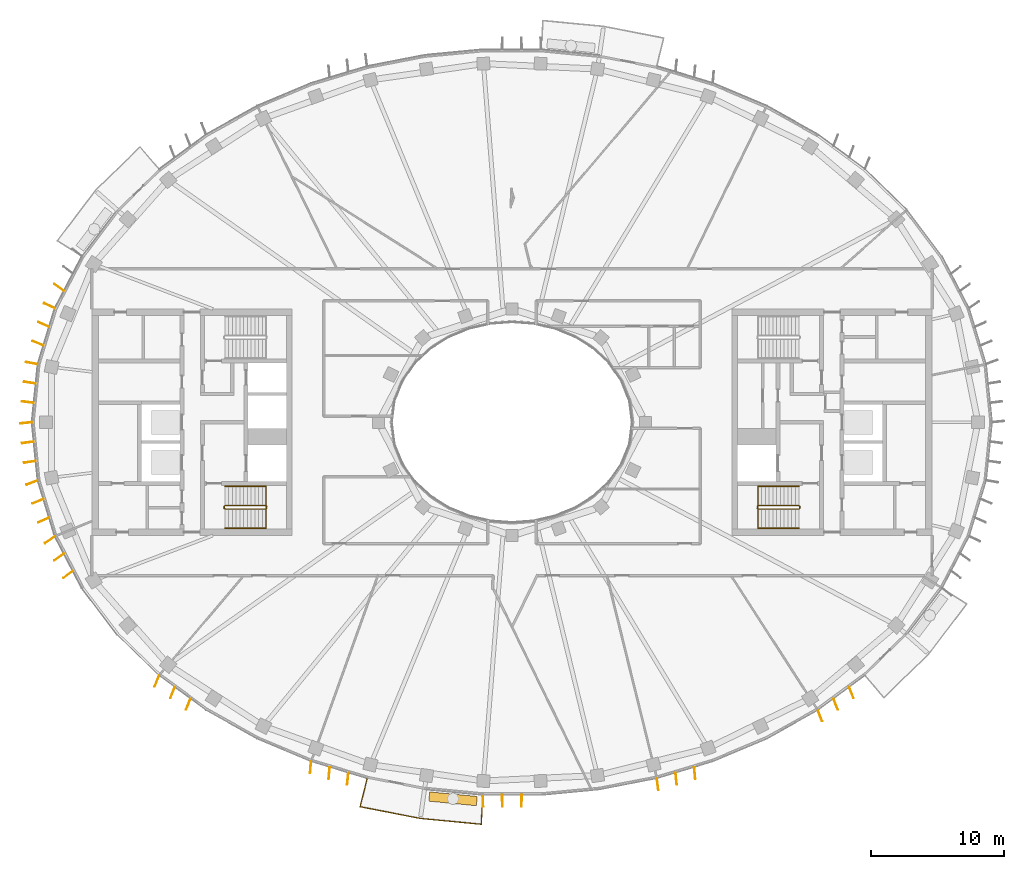
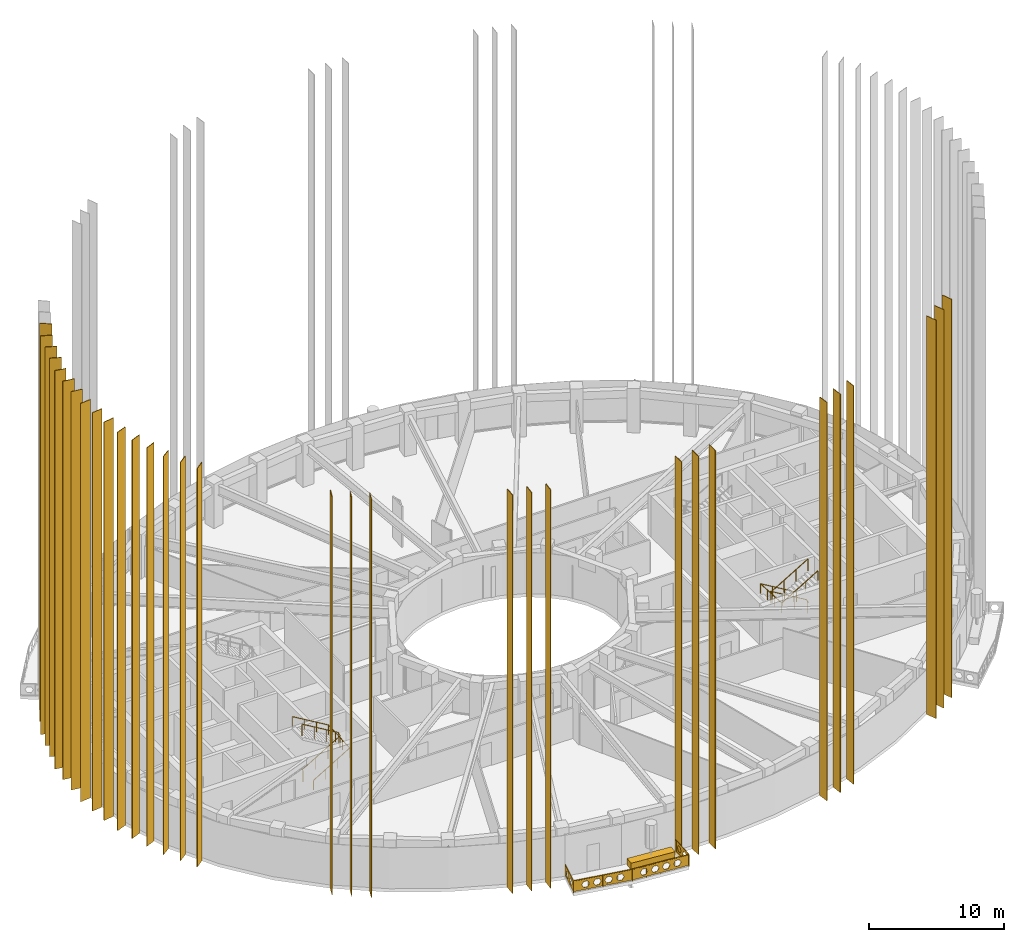
# One storey, part 14 of 17: 32 coverings, 5 railings.
"""IFC4 building model written with IfcOpenShell, lengths in metres."""

from ifc_helpers import new_model, si_unit, direction, frame, origin, origin_2d, place, context, subcontext, project, spatial, polyline, rectangle, outline, extrude, material, material_profile, profile_set, type_object, element, save


model = new_model("IFC4")

# Units and contexts
model_context = context("Model", 3, precision=1e-05, world=origin(), true_north=direction((0.0, 1.0)))
body_context = subcontext(model_context, "Body", "Model", "MODEL_VIEW")
ifc_project = project(units=[si_unit("LENGTHUNIT", "METRE"), si_unit("AREAUNIT", "SQUARE_METRE"), si_unit("VOLUMEUNIT", "CUBIC_METRE"), si_unit("PLANEANGLEUNIT", "RADIAN"), si_unit("MASSUNIT", "GRAM", prefix="KILO")], contexts=[model_context])

# Site, building, storey
site_placement = place(None, origin())
site = spatial("IfcSite", under=ifc_project, at=site_placement, CompositionType="ELEMENT")
building_placement = place(site_placement, origin())
building = spatial("IfcBuilding", under=site, at=building_placement, Name="Noorbagh Ring Tower", CompositionType="ELEMENT")
storey_placement = place(building_placement, frame((0.0, 0.0, 291.0)))
storey = spatial("IfcBuildingStorey", under=building, at=storey_placement, Name="L62", CompositionType="ELEMENT", Elevation=291.0)

# Railings
ifc_material_1 = material(Name="Stainless steel", Category="steel")
railing_type_1 = type_object("IfcRailingType", Name="CORE-STAIR-GUARD", PredefinedType="GUARDRAIL", material=ifc_material_1)
railing_1_placement = place(storey_placement, frame((-21.580078125, -6.449951171875, 0.0)))
element("IfcRailing", 1, at=railing_1_placement, inside=storey, type_object=railing_type_1, Name="L62 ST2 stair guard", PredefinedType="GUARDRAIL", context=body_context, shape_type="SweptSolid", body=[
    extrude(rectangle(XDim=0.048095703125, YDim=0.048095703125, at=origin_2d()), frame((0.0, 0.0, 1.076171875), z_axis=(0.0, 1.0, 0.0), x_axis=(-1.0, 0.0, 0.0)), (0.0, 0.0, 1.0), 0.14990234375),
    extrude(rectangle(XDim=0.048095703125, YDim=0.048095703125, at=origin_2d()), frame((0.0, 0.14990234375, 1.076171875), z_axis=(0.188775798145, -0.754182335027, 0.628945707965), x_axis=(0.970072785993, 0.242814311512, 0.0)), (0.0, 0.0, 1.0), 0.26513671875),
    extrude(rectangle(XDim=0.048095703125, YDim=0.048095703125, at=origin_2d()), frame((0.050048828125, -0.050048828125, 1.24267578125), z_axis=(0.859308565015, 0.0, 0.511457515432), x_axis=(0.0, 1.0, 0.0)), (0.0, 0.0, 1.0), 3.58447265625),
    extrude(rectangle(XDim=0.048095703125, YDim=0.048095703125, at=origin_2d()), frame((3.130126953125, -0.050048828125, 3.076171875), z_axis=(0.707106781187, 0.707106781187, 0.0), x_axis=(-0.707106781187, 0.707106781187, 0.0)), (0.0, 0.0, 1.0), 0.07080078125),
    extrude(rectangle(XDim=0.048095703125, YDim=0.048095703125, at=origin_2d()), frame((3.18017578125, 0.0, 3.076171875), z_axis=(0.0, 1.0, 0.0), x_axis=(-1.0, 0.0, 0.0)), (0.0, 0.0, 1.0), 0.14990234375),
    extrude(rectangle(XDim=0.048095703125, YDim=0.048095703125, at=origin_2d()), frame((3.18017578125, 0.14990234375, 3.076171875), z_axis=(-0.27628659633, 0.27628659633, 0.920506074601), x_axis=(-0.707106781187, -0.707106781187, 0.0)), (0.0, 0.0, 1.0), 0.18115234375),
    extrude(rectangle(XDim=0.048095703125, YDim=0.048095703125, at=origin_2d()), frame((3.130126953125, 0.199951171875, 3.24267578125), z_axis=(-0.859308565015, 0.0, 0.511457515432), x_axis=(0.0, -1.0, 0.0)), (0.0, 0.0, 1.0), 3.58447265625),
    extrude(rectangle(XDim=0.0419921875, YDim=0.0419921875, at=origin_2d()), origin(), (0.0, 0.0, 1.0), 1.052001953125),
    extrude(rectangle(XDim=0.0419921875, YDim=0.0419921875, at=origin_2d()), frame((1.07666015625, -0.050048828125, 0.77783203125)), (0.0, 0.0, 1.0), 1.052001953125),
    extrude(rectangle(XDim=0.0419921875, YDim=0.0419921875, at=origin_2d()), frame((2.103515625, -0.050048828125, 1.388916015625)), (0.0, 0.0, 1.0), 1.052001953125),
    extrude(rectangle(XDim=0.0419921875, YDim=0.0419921875, at=origin_2d()), frame((3.130126953125, -0.050048828125, 2.0)), (0.0, 0.0, 1.0), 1.052001953125),
    extrude(rectangle(XDim=0.0419921875, YDim=0.0419921875, at=origin_2d()), frame((3.130126953125, 0.199951171875, 2.166748046875)), (0.0, 0.0, 1.0), 1.052001953125),
    extrude(rectangle(XDim=0.0419921875, YDim=0.0419921875, at=origin_2d()), frame((2.103515625, 0.199951171875, 2.77783203125)), (0.0, 0.0, 1.0), 1.052001953125),
    extrude(rectangle(XDim=0.0419921875, YDim=0.0419921875, at=origin_2d()), frame((1.07666015625, 0.199951171875, 3.388916015625)), (0.0, 0.0, 1.0), 1.052001953125),
    extrude(rectangle(XDim=0.0419921875, YDim=0.0419921875, at=origin_2d()), frame((0.050048828125, 0.199951171875, 4.0)), (0.0, 0.0, 1.0), 1.052001953125),
])
railing_2_placement = place(storey_placement, frame((21.580078125, -6.300048828125, 0.0)))
element("IfcRailing", 2, at=railing_2_placement, inside=storey, type_object=railing_type_1, Name="L62 ST4 stair guard", PredefinedType="GUARDRAIL", context=body_context, shape_type="SweptSolid", body=[
    extrude(rectangle(XDim=0.048095703125, YDim=0.048095703125, at=origin_2d()), frame((0.0, 0.0, 1.076171875), z_axis=(0.0, -1.0, 0.0), x_axis=(1.0, 0.0, 0.0)), (0.0, 0.0, 1.0), 0.14990234375),
    extrude(rectangle(XDim=0.048095703125, YDim=0.048095703125, at=origin_2d()), frame((0.0, -0.14990234375, 1.076171875), z_axis=(-0.188775798145, 0.754182335027, 0.628945707965), x_axis=(-0.970072785993, -0.242814311512, 0.0)), (0.0, 0.0, 1.0), 0.26513671875),
    extrude(rectangle(XDim=0.048095703125, YDim=0.048095703125, at=origin_2d()), frame((-0.050048828125, 0.050048828125, 1.24267578125), z_axis=(-0.859308565015, 0.0, 0.511457515432), x_axis=(0.0, -1.0, 0.0)), (0.0, 0.0, 1.0), 3.58447265625),
    extrude(rectangle(XDim=0.048095703125, YDim=0.048095703125, at=origin_2d()), frame((-3.130126953125, 0.050048828125, 3.076171875), z_axis=(-0.707106781187, -0.707106781187, 0.0), x_axis=(0.707106781187, -0.707106781187, 0.0)), (0.0, 0.0, 1.0), 0.07080078125),
    extrude(rectangle(XDim=0.048095703125, YDim=0.048095703125, at=origin_2d()), frame((-3.18017578125, 0.0, 3.076171875), z_axis=(0.0, -1.0, 0.0), x_axis=(1.0, 0.0, 0.0)), (0.0, 0.0, 1.0), 0.14990234375),
    extrude(rectangle(XDim=0.048095703125, YDim=0.048095703125, at=origin_2d()), frame((-3.18017578125, -0.14990234375, 3.076171875), z_axis=(0.27628659633, -0.27628659633, 0.920506074601), x_axis=(0.707106781187, 0.707106781187, 0.0)), (0.0, 0.0, 1.0), 0.18115234375),
    extrude(rectangle(XDim=0.048095703125, YDim=0.048095703125, at=origin_2d()), frame((-3.130126953125, -0.199951171875, 3.24267578125), z_axis=(0.859308565015, 0.0, 0.511457515432), x_axis=(0.0, 1.0, 0.0)), (0.0, 0.0, 1.0), 3.58447265625),
    extrude(rectangle(XDim=0.0419921875, YDim=0.0419921875, at=origin_2d()), origin(), (0.0, 0.0, 1.0), 1.052001953125),
    extrude(rectangle(XDim=0.0419921875, YDim=0.0419921875, at=origin_2d()), frame((-1.07666015625, 0.050048828125, 0.77783203125)), (0.0, 0.0, 1.0), 1.052001953125),
    extrude(rectangle(XDim=0.0419921875, YDim=0.0419921875, at=origin_2d()), frame((-2.103515625, 0.050048828125, 1.388916015625)), (0.0, 0.0, 1.0), 1.052001953125),
    extrude(rectangle(XDim=0.0419921875, YDim=0.0419921875, at=origin_2d()), frame((-3.130126953125, 0.050048828125, 2.0)), (0.0, 0.0, 1.0), 1.052001953125),
    extrude(rectangle(XDim=0.0419921875, YDim=0.0419921875, at=origin_2d()), frame((-3.130126953125, -0.199951171875, 2.166748046875)), (0.0, 0.0, 1.0), 1.052001953125),
    extrude(rectangle(XDim=0.0419921875, YDim=0.0419921875, at=origin_2d()), frame((-2.103515625, -0.199951171875, 2.77783203125)), (0.0, 0.0, 1.0), 1.052001953125),
    extrude(rectangle(XDim=0.0419921875, YDim=0.0419921875, at=origin_2d()), frame((-1.07666015625, -0.199951171875, 3.388916015625)), (0.0, 0.0, 1.0), 1.052001953125),
    extrude(rectangle(XDim=0.0419921875, YDim=0.0419921875, at=origin_2d()), frame((-0.050048828125, -0.199951171875, 4.0)), (0.0, 0.0, 1.0), 1.052001953125),
])
ifc_material_2 = material(Name="Stainless steel", Category="steel")
railing_type_2 = type_object("IfcRailingType", Name="CORE-STAIR-HANDRAIL", PredefinedType="HANDRAIL", material=ifc_material_2)
railing_3_placement = place(storey_placement, frame((-21.530029296875, -7.949951171875, 0.166748046875)))
element("IfcRailing", 3, at=railing_3_placement, inside=storey, type_object=railing_type_2, Name="L62 ST2 stair handrail", PredefinedType="HANDRAIL", context=body_context, shape_type="SweptSolid", body=[
    extrude(rectangle(XDim=0.048095703125, YDim=0.048095703125, at=origin_2d()), frame((0.0, 0.0, 0.8759765625), z_axis=(0.859308565015, 0.0, 0.511457515432), x_axis=(0.0, 1.0, 0.0)), (0.0, 0.0, 1.0), 3.58447265625),
    extrude(rectangle(XDim=0.048095703125, YDim=0.048095703125, at=origin_2d()), frame((3.080078125, 0.0, 2.708984375), z_axis=(0.0, 0.998601747152, 0.052863509014), x_axis=(-1.0, 0.0, 0.0)), (0.0, 0.0, 1.0), 3.154296875),
    extrude(rectangle(XDim=0.048095703125, YDim=0.048095703125, at=origin_2d()), frame((3.080078125, 3.14990234375, 2.8759765625), z_axis=(-0.859308565015, 0.0, 0.511457515432), x_axis=(0.0, -1.0, 0.0)), (0.0, 0.0, 1.0), 3.58447265625),
    extrude(rectangle(XDim=0.0419921875, YDim=0.0419921875, at=origin_2d()), origin(), (0.0, 0.0, 1.0), 0.851806640625),
    extrude(rectangle(XDim=0.0419921875, YDim=0.0419921875, at=origin_2d()), frame((1.026611328125, 0.0, 0.611083984375)), (0.0, 0.0, 1.0), 0.851806640625),
    extrude(rectangle(XDim=0.0419921875, YDim=0.0419921875, at=origin_2d()), frame((2.053466796875, 0.0, 1.22216796875)), (0.0, 0.0, 1.0), 0.851806640625),
    extrude(rectangle(XDim=0.0419921875, YDim=0.0419921875, at=origin_2d()), frame((3.080078125, 0.0, 1.833251953125)), (0.0, 0.0, 1.0), 0.851806640625),
    extrude(rectangle(XDim=0.0419921875, YDim=0.0419921875, at=origin_2d()), frame((3.080078125, 1.050048828125, 1.888916015625)), (0.0, 0.0, 1.0), 0.851806640625),
    extrude(rectangle(XDim=0.0419921875, YDim=0.0419921875, at=origin_2d()), frame((3.080078125, 2.099853515625, 1.9443359375)), (0.0, 0.0, 1.0), 0.851806640625),
    extrude(rectangle(XDim=0.0419921875, YDim=0.0419921875, at=origin_2d()), frame((3.080078125, 3.14990234375, 2.0)), (0.0, 0.0, 1.0), 0.851806640625),
    extrude(rectangle(XDim=0.0419921875, YDim=0.0419921875, at=origin_2d()), frame((2.053466796875, 3.14990234375, 2.611083984375)), (0.0, 0.0, 1.0), 0.851806640625),
    extrude(rectangle(XDim=0.0419921875, YDim=0.0419921875, at=origin_2d()), frame((1.026611328125, 3.14990234375, 3.22216796875)), (0.0, 0.0, 1.0), 0.851806640625),
    extrude(rectangle(XDim=0.0419921875, YDim=0.0419921875, at=origin_2d()), frame((0.0, 3.14990234375, 3.833251953125)), (0.0, 0.0, 1.0), 0.851806640625),
])
railing_4_placement = place(storey_placement, frame((21.530029296875, -4.800048828125, 0.166748046875)))
element("IfcRailing", 4, at=railing_4_placement, inside=storey, type_object=railing_type_2, Name="L62 ST4 stair handrail", PredefinedType="HANDRAIL", context=body_context, shape_type="SweptSolid", body=[
    extrude(rectangle(XDim=0.048095703125, YDim=0.048095703125, at=origin_2d()), frame((0.0, 0.0, 0.8759765625), z_axis=(-0.859308565015, 0.0, 0.511457515432), x_axis=(0.0, -1.0, 0.0)), (0.0, 0.0, 1.0), 3.58447265625),
    extrude(rectangle(XDim=0.048095703125, YDim=0.048095703125, at=origin_2d()), frame((-3.080078125, 0.0, 2.708984375), z_axis=(0.0, -0.998601747152, 0.052863509014), x_axis=(1.0, 0.0, 0.0)), (0.0, 0.0, 1.0), 3.154296875),
    extrude(rectangle(XDim=0.048095703125, YDim=0.048095703125, at=origin_2d()), frame((-3.080078125, -3.14990234375, 2.8759765625), z_axis=(0.859308565015, 0.0, 0.511457515432), x_axis=(0.0, 1.0, 0.0)), (0.0, 0.0, 1.0), 3.58447265625),
    extrude(rectangle(XDim=0.0419921875, YDim=0.0419921875, at=origin_2d()), origin(), (0.0, 0.0, 1.0), 0.851806640625),
    extrude(rectangle(XDim=0.0419921875, YDim=0.0419921875, at=origin_2d()), frame((-1.026611328125, 0.0, 0.611083984375)), (0.0, 0.0, 1.0), 0.851806640625),
    extrude(rectangle(XDim=0.0419921875, YDim=0.0419921875, at=origin_2d()), frame((-2.053466796875, 0.0, 1.22216796875)), (0.0, 0.0, 1.0), 0.851806640625),
    extrude(rectangle(XDim=0.0419921875, YDim=0.0419921875, at=origin_2d()), frame((-3.080078125, 0.0, 1.833251953125)), (0.0, 0.0, 1.0), 0.851806640625),
    extrude(rectangle(XDim=0.0419921875, YDim=0.0419921875, at=origin_2d()), frame((-3.080078125, -1.050048828125, 1.888916015625)), (0.0, 0.0, 1.0), 0.851806640625),
    extrude(rectangle(XDim=0.0419921875, YDim=0.0419921875, at=origin_2d()), frame((-3.080078125, -2.099853515625, 1.9443359375)), (0.0, 0.0, 1.0), 0.851806640625),
    extrude(rectangle(XDim=0.0419921875, YDim=0.0419921875, at=origin_2d()), frame((-3.080078125, -3.14990234375, 2.0)), (0.0, 0.0, 1.0), 0.851806640625),
    extrude(rectangle(XDim=0.0419921875, YDim=0.0419921875, at=origin_2d()), frame((-2.053466796875, -3.14990234375, 2.611083984375)), (0.0, 0.0, 1.0), 0.851806640625),
    extrude(rectangle(XDim=0.0419921875, YDim=0.0419921875, at=origin_2d()), frame((-1.026611328125, -3.14990234375, 3.22216796875)), (0.0, 0.0, 1.0), 0.851806640625),
    extrude(rectangle(XDim=0.0419921875, YDim=0.0419921875, at=origin_2d()), frame((0.0, -3.14990234375, 3.833251953125)), (0.0, 0.0, 1.0), 0.851806640625),
])

# Coverings
ifc_material_3 = material(Name="Aluminium 6063-T6 black anodised", Category="aluminium")
ifc_material_profile = material_profile(ifc_material_3, rectangle(XDim=0.89990234375, YDim=0.050048828125, at=origin_2d()), Name="900x50")
ifc_profile_set = profile_set([ifc_material_profile], Name="Aluminium 6063-T6 black anodised")
covering_type_1 = type_object("IfcCoveringType", Name="ENV-FIN", PredefinedType="CLADDING", material=ifc_profile_set)
for number, where, z_axis, x_axis, name in (
    (5, (-33.9716796875, 10.113525390625, -0.284912109375), (0.0, 0.0, 1.0), (-0.804260303023, 0.59427717858, 0.0), "Fin F21 3 L62-L70"),
    (6, (-34.693359375, 8.738525390625, -0.284912109375), (0.0, 0.0, 1.0), (-0.907911558545, 0.419161784827, 0.0), "Fin F22 1 L62-L70"),
    (7, (-35.123291015625, 7.3330078125, -0.284912109375), (0.0, 0.0, 1.0), (-0.916474909008, 0.40009216583, 0.0), "Fin F22 2 L62-L70"),
    (8, (-35.553466796875, 5.92724609375, -0.284912109375), (0.0, 0.0, 1.0), (-0.925000661941, 0.379965492392, 0.0), "Fin F22 3 L62-L70"),
    (9, (-36.0068359375, 4.435546875, -0.284912109375), (0.0, 0.0, 1.0), (-0.985418628789, 0.170147365642, 0.0), "Fin F23 1 L62-L70"),
    (10, (-36.154296875, 2.97216796875, -0.284912109375), (0.0, 0.0, 1.0), (-0.989102941421, 0.147225579543, 0.0), "Fin F23 2 L62-L70"),
    (11, (-36.30126953125, 1.5087890625, -0.284912109375), (0.0, 0.0, 1.0), (-0.992302876732, 0.12383457041, 0.0), "Fin F23 3 L62-L70"),
    (12, (-36.4482421875, -0.045166015625, -0.284912109375), (0.0, 0.0, 1.0), (-0.994969504864, -0.100178263068, 0.0), "Fin F24 1 L62-L70"),
    (13, (-36.30126953125, -1.5087890625, -0.284912109375), (0.0, 0.0, 1.0), (-0.992302876732, -0.12383457041, 0.0), "Fin F24 2 L62-L70"),
    (14, (-36.154296875, -2.97216796875, -0.284912109375), (0.0, 0.0, 1.0), (-0.989102941421, -0.147225579543, 0.0), "Fin F24 3 L62-L70"),
    (15, (-35.9833984375, -4.520751953125, -0.284912109375), (0.0, 0.0, 1.0), (-0.933362145395, -0.358936074453, 0.0), "Fin F25 1 L62-L70"),
    (16, (-35.553466796875, -5.92724609375, -0.284912109375), (0.0, 0.0, 1.0), (-0.925000661941, -0.379965492392, 0.0), "Fin F25 2 L62-L70"),
    (17, (-35.123291015625, -7.3330078125, -0.284912109375), (0.0, 0.0, 1.0), (-0.916474909008, -0.40009216583, 0.0), "Fin F25 3 L62-L70"),
    (18, (-34.651611328125, -8.810791015625, -0.284912109375), (0.0, 0.0, 1.0), (-0.815855460993, -0.57825588347, 0.0), "Fin F26 1 L62-L70"),
    (19, (-33.9716796875, -10.113525390625, -0.284912109375), (0.0, 0.0, 1.0), (-0.804260303023, -0.59427717858, 0.0), "Fin F26 2 L62-L70"),
    (20, (-33.291748046875, -11.415771484375, -0.284912109375), (0.0, 0.0, 1.0), (-0.793137535147, -0.609042568579, 0.0), "Fin F26 3 L62-L70"),
    (21, (-26.633544921875, -19.406982421875, -0.284912109375), (0.0, 0.0, 1.0), (-0.36956351025, -0.929205473451, 0.0), "Fin F29 1 L62-L70"),
    (22, (-25.455078125, -20.2744140625, -0.284912109375), (0.0, 0.0, 1.0), (-0.366046969104, -0.930596376745, 0.0), "Fin F29 2 L62-L70"),
    (23, (-24.277587890625, -21.1416015625, -0.284912109375), (0.0, 0.0, 1.0), (-0.364533046139, -0.931190452202, 0.0), "Fin F29 3 L62-L70"),
    (24, (-15.102294921875, -25.884521484375, -0.284912109375), (0.0, 0.0, 1.0), (-0.078357246483, -0.996925344208, 0.0), "Fin F32 1 L62-L70"),
    (25, (-13.708740234375, -26.304931640625, -0.284912109375), (0.0, 0.0, 1.0), (-0.092918421481, -0.995673725148, 0.0), "Fin F32 2 L62-L70"),
    (26, (-12.31591796875, -26.72509765625, -0.284912109375), (0.0, 0.0, 1.0), (-0.109101232004, -0.994030643982, 0.0), "Fin F32 3 L62-L70"),
    (27, (-2.17724609375, -28.399169921875, -0.284912109375), (0.0, 0.0, 1.0), (0.035640795498, -0.999364665023, 0.0), "Fin F35 1 L62-L70"),
    (28, (-0.7255859375, -28.398681640625, -0.284912109375), (0.0, 0.0, 1.0), (0.011915412219, -0.999929008956, 0.0), "Fin F35 2 L62-L70"),
    (29, (0.7255859375, -28.398681640625, -0.284912109375), (0.0, 0.0, 1.0), (-0.011915412219, -0.999929008956, 0.0), "Fin F35 3 L62-L70"),
    (30, (10.923583984375, -27.14501953125, -0.284912109375), (0.0, 0.0, 1.0), (0.126759493419, -0.99193348105, 0.0), "Fin F38 1 L62-L70"),
    (31, (12.31591796875, -26.72509765625, -0.284912109375), (0.0, 0.0, 1.0), (0.109101232004, -0.994030643982, 0.0), "Fin F38 2 L62-L70"),
    (32, (13.708740234375, -26.304931640625, -0.284912109375), (0.0, 0.0, 1.0), (0.092918421481, -0.995673725148, 0.0), "Fin F38 3 L62-L70"),
    (33, (23.100830078125, -22.00830078125, -0.284912109375), (0.0, 0.0, 1.0), (0.365038143381, -0.930992563814, 0.0), "Fin F41 1 L62-L70"),
    (34, (24.277587890625, -21.1416015625, -0.284912109375), (0.0, 0.0, 1.0), (0.364533046139, -0.931190452202, 0.0), "Fin F41 2 L62-L70"),
    (35, (25.455078125, -20.2744140625, -0.284912109375), (0.0, 0.0, 1.0), (0.366046969104, -0.930596376745, 0.0), "Fin F41 3 L62-L70"),
):
    element("IfcCovering", number, at=place(storey_placement, frame(where, z_axis=z_axis, x_axis=x_axis)), inside=storey, type_object=covering_type_1, Name=name, ObjectType="FIN", PredefinedType="CLADDING", context=body_context, shape_type="SweptSolid", body=[
        extrude(rectangle(XDim=0.89990234375, YDim=0.050048828125, at=origin_2d()), origin(), (0.0, 0.0, 1.0), 35.969970703125),
    ])

# Railing
ifc_material_4 = material(Name="Steel S275 black powder-coated", Category="steel")
railing_type_3 = type_object("IfcRailingType", Name="ENV-GUARD", PredefinedType="GUARDRAIL", material=ifc_material_4)
railing_5_placement = place(storey_placement, frame((-10.865234375, -26.6943359375, 0.0)))
element("IfcRailing", 36, at=railing_5_placement, inside=storey, type_object=railing_type_3, Name="Balcony guard BS03", PredefinedType="GUARDRAIL", context=body_context, shape_type="SweptSolid", body=[
    extrude(rectangle(XDim=0.048095703125, YDim=0.048095703125, at=origin_2d()), frame((0.0, 0.0, 1.076171875), z_axis=(-0.239848558412, -0.970810315679, 0.0), x_axis=(0.970810315679, -0.239848558412, 0.0)), (0.0, 0.0, 1.0), 2.20263671875),
    extrude(rectangle(XDim=0.048095703125, YDim=0.048095703125, at=origin_2d()), frame((-0.5283203125, -2.138427734375, 1.076171875), z_axis=(0.981625049064, -0.1908199755, 0.0), x_axis=(0.1908199755, 0.981625049064, 0.0)), (0.0, 0.0, 1.0), 4.603271484375),
    extrude(rectangle(XDim=0.048095703125, YDim=0.048095703125, at=origin_2d()), frame((3.990478515625, -3.016845703125, 1.076171875), z_axis=(0.995477555764, -0.094997031379, 0.0), x_axis=(0.094997031379, 0.995477555764, 0.0)), (0.0, 0.0, 1.0), 4.59765625),
    extrude(rectangle(XDim=0.048095703125, YDim=0.048095703125, at=origin_2d()), frame((8.5673828125, -3.45361328125, 1.076171875), z_axis=(0.047554616162, 0.998868639252, 0.0), x_axis=(-0.998868639252, 0.047554616162, 0.0)), (0.0, 0.0, 1.0), 2.202392578125),
    extrude(rectangle(XDim=0.0419921875, YDim=0.0419921875, at=origin_2d()), origin(), (0.0, 0.0, 1.0), 1.052001953125),
    extrude(rectangle(XDim=0.0419921875, YDim=0.0419921875, at=origin_2d()), frame((-0.26416015625, -1.0693359375, 0.0)), (0.0, 0.0, 1.0), 1.052001953125),
    extrude(rectangle(XDim=0.0419921875, YDim=0.0419921875, at=origin_2d()), frame((-0.5283203125, -2.138427734375, 0.0)), (0.0, 0.0, 1.0), 1.052001953125),
    extrude(rectangle(XDim=0.0419921875, YDim=0.0419921875, at=origin_2d()), frame((0.601318359375, -2.35791015625, 0.0)), (0.0, 0.0, 1.0), 1.052001953125),
    extrude(rectangle(XDim=0.0419921875, YDim=0.0419921875, at=origin_2d()), frame((1.73095703125, -2.57763671875, 0.0)), (0.0, 0.0, 1.0), 1.052001953125),
    extrude(rectangle(XDim=0.0419921875, YDim=0.0419921875, at=origin_2d()), frame((2.86083984375, -2.79736328125, 0.0)), (0.0, 0.0, 1.0), 1.052001953125),
    extrude(rectangle(XDim=0.0419921875, YDim=0.0419921875, at=origin_2d()), frame((3.990478515625, -3.016845703125, 0.0)), (0.0, 0.0, 1.0), 1.052001953125),
    extrude(rectangle(XDim=0.0419921875, YDim=0.0419921875, at=origin_2d()), frame((5.134765625, -3.1259765625, 0.0)), (0.0, 0.0, 1.0), 1.052001953125),
    extrude(rectangle(XDim=0.0419921875, YDim=0.0419921875, at=origin_2d()), frame((6.27880859375, -3.2353515625, 0.0)), (0.0, 0.0, 1.0), 1.052001953125),
    extrude(rectangle(XDim=0.0419921875, YDim=0.0419921875, at=origin_2d()), frame((7.423095703125, -3.344482421875, 0.0)), (0.0, 0.0, 1.0), 1.052001953125),
    extrude(rectangle(XDim=0.0419921875, YDim=0.0419921875, at=origin_2d()), frame((8.5673828125, -3.45361328125, 0.0)), (0.0, 0.0, 1.0), 1.052001953125),
    extrude(rectangle(XDim=0.0419921875, YDim=0.0419921875, at=origin_2d()), frame((8.61962890625, -2.353515625, 0.0)), (0.0, 0.0, 1.0), 1.052001953125),
    extrude(rectangle(XDim=0.0419921875, YDim=0.0419921875, at=origin_2d()), frame((8.672119140625, -1.253662109375, 0.0)), (0.0, 0.0, 1.0), 1.052001953125),
    extrude(outline(polyline([(0.0, 0.10009765625), (2.20263671875, 0.10009765625), (2.20263671875, 1.031982421875), (0.0, 1.031982421875), (0.0, 0.10009765625)]), holes=[polyline([(0.96142578125, 0.56591796875), (0.806396484375, 0.83447265625), (0.496337890625, 0.83447265625), (0.34130859375, 0.56591796875), (0.496337890625, 0.297607421875), (0.806396484375, 0.297607421875), (0.96142578125, 0.56591796875)]), polyline([(1.861328125, 0.56591796875), (1.706298828125, 0.83447265625), (1.396240234375, 0.83447265625), (1.241455078125, 0.56591796875), (1.396240234375, 0.297607421875), (1.706298828125, 0.297607421875), (1.861328125, 0.56591796875)])]), frame((0.009765625, -0.00244140625, 0.0), z_axis=(-0.970810315679, 0.239848558412, 0.0), x_axis=(-0.239848558412, -0.970810315679, 0.0)), (0.0, 0.0, 1.0), 0.02001953125),
    extrude(outline(polyline([(0.0, 0.10009765625), (4.603271484375, 0.10009765625), (4.603271484375, 1.031982421875), (0.0, 1.031982421875), (0.0, 0.10009765625)]), holes=[polyline([(1.26171875, 0.56591796875), (1.106689453125, 0.83447265625), (0.796630859375, 0.83447265625), (0.6416015625, 0.56591796875), (0.796630859375, 0.297607421875), (1.106689453125, 0.297607421875), (1.26171875, 0.56591796875)]), polyline([(2.16162109375, 0.56591796875), (2.006591796875, 0.83447265625), (1.69677734375, 0.83447265625), (1.541748046875, 0.56591796875), (1.69677734375, 0.297607421875), (2.006591796875, 0.297607421875), (2.16162109375, 0.56591796875)]), polyline([(3.061767578125, 0.56591796875), (2.90673828125, 0.83447265625), (2.5966796875, 0.83447265625), (2.441650390625, 0.56591796875), (2.5966796875, 0.297607421875), (2.90673828125, 0.297607421875), (3.061767578125, 0.56591796875)]), polyline([(3.961669921875, 0.56591796875), (3.806640625, 0.83447265625), (3.49658203125, 0.83447265625), (3.341796875, 0.56591796875), (3.49658203125, 0.297607421875), (3.806640625, 0.297607421875), (3.961669921875, 0.56591796875)])]), frame((-0.5263671875, -2.128662109375, 0.0), z_axis=(-0.1908199755, -0.981625049064, 0.0), x_axis=(0.981625049064, -0.1908199755, 0.0)), (0.0, 0.0, 1.0), 0.02001953125),
    extrude(outline(polyline([(0.0, 0.10009765625), (4.59765625, 0.10009765625), (4.59765625, 1.031982421875), (0.0, 1.031982421875), (0.0, 0.10009765625)]), holes=[polyline([(1.2587890625, 0.56591796875), (1.103759765625, 0.83447265625), (0.7939453125, 0.83447265625), (0.638916015625, 0.56591796875), (0.7939453125, 0.297607421875), (1.103759765625, 0.297607421875), (1.2587890625, 0.56591796875)]), polyline([(2.158935546875, 0.56591796875), (2.00390625, 0.83447265625), (1.69384765625, 0.83447265625), (1.538818359375, 0.56591796875), (1.69384765625, 0.297607421875), (2.00390625, 0.297607421875), (2.158935546875, 0.56591796875)]), polyline([(3.058837890625, 0.56591796875), (2.90380859375, 0.83447265625), (2.59375, 0.83447265625), (2.43896484375, 0.56591796875), (2.59375, 0.297607421875), (2.90380859375, 0.297607421875), (3.058837890625, 0.56591796875)]), polyline([(3.958740234375, 0.56591796875), (3.803955078125, 0.83447265625), (3.493896484375, 0.83447265625), (3.3388671875, 0.56591796875), (3.493896484375, 0.297607421875), (3.803955078125, 0.297607421875), (3.958740234375, 0.56591796875)])]), frame((3.991455078125, -3.0068359375, 0.0), z_axis=(-0.094997031379, -0.995477555764, 0.0), x_axis=(0.995477555764, -0.094997031379, 0.0)), (0.0, 0.0, 1.0), 0.02001953125),
    extrude(outline(polyline([(0.0, 0.10009765625), (2.202392578125, 0.10009765625), (2.202392578125, 1.031982421875), (0.0, 1.031982421875), (0.0, 0.10009765625)]), holes=[polyline([(0.961181640625, 0.56591796875), (0.80615234375, 0.83447265625), (0.496337890625, 0.83447265625), (0.34130859375, 0.56591796875), (0.496337890625, 0.297607421875), (0.80615234375, 0.297607421875), (0.961181640625, 0.56591796875)]), polyline([(1.861328125, 0.56591796875), (1.706298828125, 0.83447265625), (1.396240234375, 0.83447265625), (1.2412109375, 0.56591796875), (1.396240234375, 0.297607421875), (1.706298828125, 0.297607421875), (1.861328125, 0.56591796875)])]), frame((8.557373046875, -3.453125, 0.0), z_axis=(0.998868639252, -0.047554616162, 0.0), x_axis=(0.047554616162, 0.998868639252, 0.0)), (0.0, 0.0, 1.0), 0.02001953125),
])

# Covering
ifc_material_5 = material(Name="Concrete C30/37 planter with soil", Category="concrete")
covering_type_2 = type_object("IfcCoveringType", Name="ENV-PLANTER", PredefinedType="CLADDING", material=ifc_material_5)
covering_placement = place(storey_placement, frame((-4.423828125, -28.2373046875, 0.0), z_axis=(0.0, 0.0, 1.0), x_axis=(0.995476497323, -0.095008122171, 0.0)))
element("IfcCovering", 37, at=covering_placement, inside=storey, type_object=covering_type_2, Name="PLANTER BS03", ObjectType="PLANTER", PredefinedType="CLADDING", context=body_context, shape_type="SweptSolid", body=[
    extrude(rectangle(XDim=3.58642578125, YDim=0.699951171875, at=origin_2d()), origin(), (0.0, 0.0, 1.0), 0.60009765625),
])

save(model, "model.ifc")
